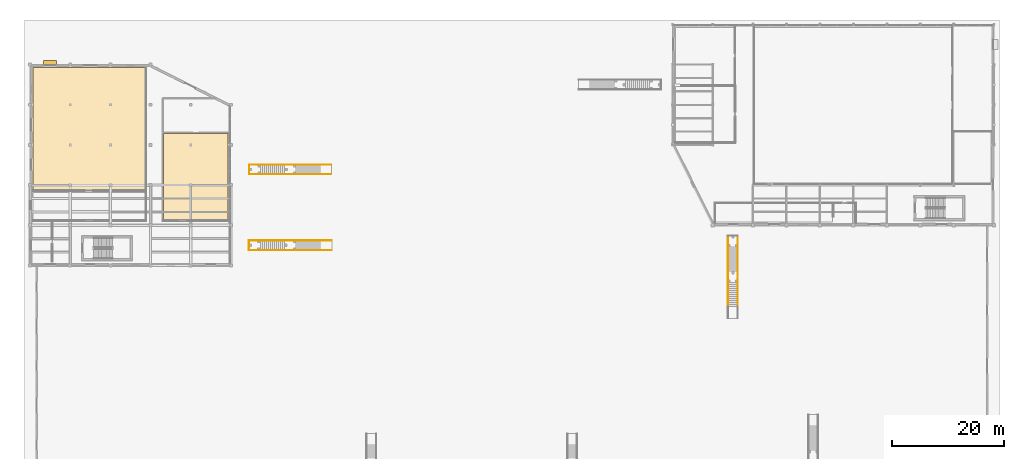
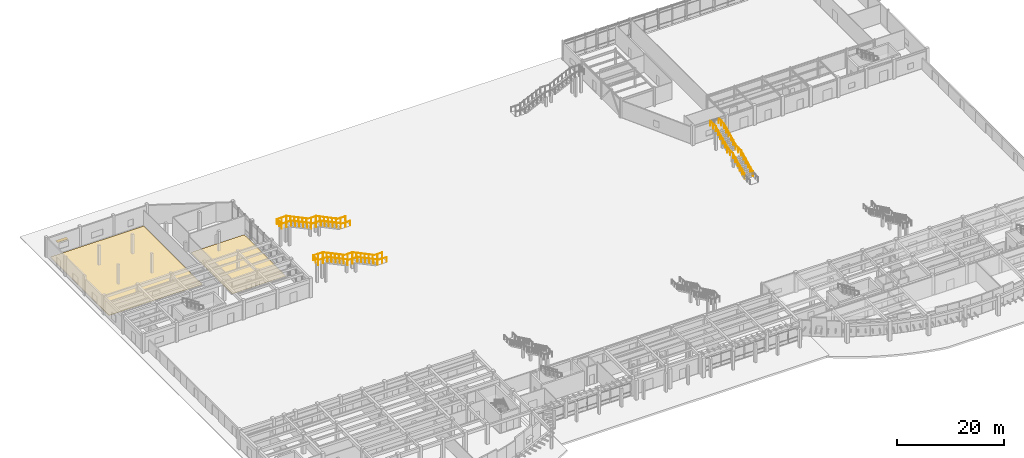
# One storey, part 53 of 58: 30 railings, 2 coverings, 1 shading device.
"""IFC4 building model written with IfcOpenShell, lengths in metres."""

from ifc_helpers import new_model, si_unit, direction, frame, origin, origin_2d, place, context, subcontext, project, spatial, polyline, rectangle, circle, outline, extrude, material, layer, layer_set, type_object, element, save


model = new_model("IFC4")

# Units and contexts
model_context = context("Model", 3, precision=1e-05, world=origin(), true_north=direction((0.0, 1.0)))
body_context = subcontext(model_context, "Body", "Model", "MODEL_VIEW")
ifc_project = project(units=[si_unit("LENGTHUNIT", "METRE"), si_unit("AREAUNIT", "SQUARE_METRE"), si_unit("VOLUMEUNIT", "CUBIC_METRE"), si_unit("PLANEANGLEUNIT", "RADIAN"), si_unit("MASSUNIT", "GRAM", prefix="KILO")], contexts=[model_context])

# Site, building, storey
site_placement = place(None, origin())
site = spatial("IfcSite", under=ifc_project, at=site_placement, CompositionType="ELEMENT")
building_placement = place(site_placement, origin())
building = spatial("IfcBuilding", under=site, at=building_placement, Name="Brisavento Harbour Community Centre", CompositionType="ELEMENT")
storey_placement = place(building_placement, origin())
storey = spatial("IfcBuildingStorey", under=building, at=storey_placement, Name="L00", CompositionType="ELEMENT", Elevation=0.0)

# Coverings
ifc_material_1 = material(Name="Polished marine terrazzo tile", Category="other")
ifc_layer_1 = layer(ifc_material_1, 0.02001953125, Name="Polished marine terrazzo tile")
ifc_layer_set_1 = layer_set([ifc_layer_1], Name="Polished marine terrazzo tile")
covering_type = type_object("IfcCoveringType", Name="COV-FLR-TRZ", PredefinedType="FLOORING", material=ifc_layer_set_1)
covering_1_placement = place(storey_placement, origin())
element("IfcCovering", 1, at=covering_1_placement, inside=storey, type_object=covering_type, Name="L00 Community Dining Hall terrazzo flooring", PredefinedType="FLOORING", context=body_context, shape_type="SweptSolid", body=[
    extrude(outline(polyline([(0.550048828125, 107.449951171875), (0.550048828125, 85.550048828125), (20.64990234375, 85.550048828125), (20.64990234375, 107.449951171875), (0.550048828125, 107.449951171875)])), origin(), (0.0, 0.0, 1.0), 0.02001953125),
])
covering_2_placement = place(storey_placement, origin())
element("IfcCovering", 2, at=covering_2_placement, inside=storey, type_object=covering_type, Name="L00 Teaching Kitchen terrazzo flooring", PredefinedType="FLOORING", context=body_context, shape_type="SweptSolid", body=[
    extrude(outline(polyline([(23.949951171875, 95.64990234375), (23.949951171875, 80.14990234375), (35.449951171875, 80.14990234375), (35.449951171875, 95.64990234375), (23.949951171875, 95.64990234375)])), origin(), (0.0, 0.0, 1.0), 0.02001953125),
])

# Railings
ifc_material_2 = material(Name="Stainless steel 1.4401", Category="steel")
railing_type = type_object("IfcRailingType", Name="RL-ST-GUARD", PredefinedType="GUARDRAIL", material=ifc_material_2)
railing_1_placement = place(storey_placement, frame((126.8798828125, 64.60009765625, 0.173095703125)))
element("IfcRailing", 3, at=railing_1_placement, inside=storey, type_object=railing_type, Name="L00 MST-03 L F1 stair guard", PredefinedType="GUARDRAIL", context=body_context, shape_type="SweptSolid", body=[
    extrude(circle(Radius=0.02392578125, at=origin_2d()), frame((0.0, 0.0, 1.09619140625), z_axis=(0.0, 0.901247069301, 0.433305573558), x_axis=(-1.0, 0.0, 0.0)), (0.0, 0.0, 1.0), 4.793212890625),
    extrude(circle(Radius=0.02099609375, at=origin_2d()), origin(), (0.0, 0.0, 1.0), 1.072021484375),
    extrude(circle(Radius=0.02099609375, at=origin_2d()), frame((0.0, 0.864013671875, 0.415283203125)), (0.0, 0.0, 1.0), 1.072021484375),
    extrude(circle(Radius=0.02099609375, at=origin_2d()), frame((0.0, 1.72802734375, 0.830810546875)), (0.0, 0.0, 1.0), 1.072021484375),
    extrude(circle(Radius=0.02099609375, at=origin_2d()), frame((0.0, 2.591796875, 1.24609375)), (0.0, 0.0, 1.0), 1.072021484375),
    extrude(circle(Radius=0.02099609375, at=origin_2d()), frame((0.0, 3.455810546875, 1.66162109375)), (0.0, 0.0, 1.0), 1.072021484375),
    extrude(circle(Radius=0.02099609375, at=origin_2d()), frame((0.0, 4.31982421875, 2.076904296875)), (0.0, 0.0, 1.0), 1.072021484375),
])
railing_2_placement = place(storey_placement, frame((126.8798828125, 68.8798828125, 2.25)))
element("IfcRailing", 4, at=railing_2_placement, inside=storey, type_object=railing_type, Name="L00 MST-03 L L2 stair guard", PredefinedType="GUARDRAIL", context=body_context, shape_type="SweptSolid", body=[
    extrude(circle(Radius=0.02392578125, at=origin_2d()), frame((0.0, 0.0, 1.09619140625), z_axis=(0.0, 1.0, 0.0), x_axis=(-1.0, 0.0, 0.0)), (0.0, 0.0, 1.0), 2.150146484375),
    extrude(circle(Radius=0.02099609375, at=origin_2d()), origin(), (0.0, 0.0, 1.0), 1.072021484375),
    extrude(circle(Radius=0.02099609375, at=origin_2d()), frame((0.0, 1.0751953125, 0.0)), (0.0, 0.0, 1.0), 1.072021484375),
    extrude(circle(Radius=0.02099609375, at=origin_2d()), frame((0.0, 2.150146484375, 0.0)), (0.0, 0.0, 1.0), 1.072021484375),
])
railing_3_placement = place(storey_placement, frame((126.8798828125, 70.989990234375, 2.423095703125)))
element("IfcRailing", 5, at=railing_3_placement, inside=storey, type_object=railing_type, Name="L00 MST-03 L F2 stair guard", PredefinedType="GUARDRAIL", context=body_context, shape_type="SweptSolid", body=[
    extrude(circle(Radius=0.02392578125, at=origin_2d()), frame((0.0, 0.0, 1.09619140625), z_axis=(0.0, 0.901256631912, 0.433285683395), x_axis=(-1.0, 0.0, 0.0)), (0.0, 0.0, 1.0), 4.79345703125),
    extrude(circle(Radius=0.02099609375, at=origin_2d()), origin(), (0.0, 0.0, 1.0), 1.072021484375),
    extrude(circle(Radius=0.02099609375, at=origin_2d()), frame((0.0, 0.864013671875, 0.415283203125)), (0.0, 0.0, 1.0), 1.072021484375),
    extrude(circle(Radius=0.02099609375, at=origin_2d()), frame((0.0, 1.72802734375, 0.830810546875)), (0.0, 0.0, 1.0), 1.072021484375),
    extrude(circle(Radius=0.02099609375, at=origin_2d()), frame((0.0, 2.592041015625, 1.24609375)), (0.0, 0.0, 1.0), 1.072021484375),
    extrude(circle(Radius=0.02099609375, at=origin_2d()), frame((0.0, 3.4560546875, 1.66162109375)), (0.0, 0.0, 1.0), 1.072021484375),
    extrude(circle(Radius=0.02099609375, at=origin_2d()), frame((0.0, 4.320068359375, 2.076904296875)), (0.0, 0.0, 1.0), 1.072021484375),
])
railing_4_placement = place(storey_placement, frame((126.8798828125, 75.27001953125, 4.5)))
element("IfcRailing", 6, at=railing_4_placement, inside=storey, type_object=railing_type, Name="L00 MST-03 L L3 stair guard", PredefinedType="GUARDRAIL", context=body_context, shape_type="SweptSolid", body=[
    extrude(circle(Radius=0.02392578125, at=origin_2d()), frame((0.0, 0.0, 1.09619140625), z_axis=(0.0, 1.0, 0.0), x_axis=(-1.0, 0.0, 0.0)), (0.0, 0.0, 1.0), 2.070068359375),
    extrude(circle(Radius=0.02099609375, at=origin_2d()), origin(), (0.0, 0.0, 1.0), 1.072021484375),
    extrude(circle(Radius=0.02099609375, at=origin_2d()), frame((0.0, 1.03515625, 0.0)), (0.0, 0.0, 1.0), 1.072021484375),
    extrude(circle(Radius=0.02099609375, at=origin_2d()), frame((0.0, 2.070068359375, 0.0)), (0.0, 0.0, 1.0), 1.072021484375),
])
railing_5_placement = place(storey_placement, frame((125.1201171875, 64.60009765625, 0.173095703125)))
element("IfcRailing", 7, at=railing_5_placement, inside=storey, type_object=railing_type, Name="L00 MST-03 R F1 stair guard", PredefinedType="GUARDRAIL", context=body_context, shape_type="SweptSolid", body=[
    extrude(circle(Radius=0.02392578125, at=origin_2d()), frame((0.0, 0.0, 1.09619140625), z_axis=(0.0, 0.901247069301, 0.433305573558), x_axis=(-1.0, 0.0, 0.0)), (0.0, 0.0, 1.0), 4.793212890625),
    extrude(circle(Radius=0.02099609375, at=origin_2d()), origin(), (0.0, 0.0, 1.0), 1.072021484375),
    extrude(circle(Radius=0.02099609375, at=origin_2d()), frame((0.0, 0.864013671875, 0.415283203125)), (0.0, 0.0, 1.0), 1.072021484375),
    extrude(circle(Radius=0.02099609375, at=origin_2d()), frame((0.0, 1.72802734375, 0.830810546875)), (0.0, 0.0, 1.0), 1.072021484375),
    extrude(circle(Radius=0.02099609375, at=origin_2d()), frame((0.0, 2.591796875, 1.24609375)), (0.0, 0.0, 1.0), 1.072021484375),
    extrude(circle(Radius=0.02099609375, at=origin_2d()), frame((0.0, 3.455810546875, 1.66162109375)), (0.0, 0.0, 1.0), 1.072021484375),
    extrude(circle(Radius=0.02099609375, at=origin_2d()), frame((0.0, 4.31982421875, 2.076904296875)), (0.0, 0.0, 1.0), 1.072021484375),
])
railing_6_placement = place(storey_placement, frame((125.1201171875, 68.8798828125, 2.25)))
element("IfcRailing", 8, at=railing_6_placement, inside=storey, type_object=railing_type, Name="L00 MST-03 R L2 stair guard", PredefinedType="GUARDRAIL", context=body_context, shape_type="SweptSolid", body=[
    extrude(circle(Radius=0.02392578125, at=origin_2d()), frame((0.0, 0.0, 1.09619140625), z_axis=(0.0, 1.0, 0.0), x_axis=(-1.0, 0.0, 0.0)), (0.0, 0.0, 1.0), 2.150146484375),
    extrude(circle(Radius=0.02099609375, at=origin_2d()), origin(), (0.0, 0.0, 1.0), 1.072021484375),
    extrude(circle(Radius=0.02099609375, at=origin_2d()), frame((0.0, 1.0751953125, 0.0)), (0.0, 0.0, 1.0), 1.072021484375),
    extrude(circle(Radius=0.02099609375, at=origin_2d()), frame((0.0, 2.150146484375, 0.0)), (0.0, 0.0, 1.0), 1.072021484375),
])
railing_7_placement = place(storey_placement, frame((125.1201171875, 70.989990234375, 2.423095703125)))
element("IfcRailing", 9, at=railing_7_placement, inside=storey, type_object=railing_type, Name="L00 MST-03 R F2 stair guard", PredefinedType="GUARDRAIL", context=body_context, shape_type="SweptSolid", body=[
    extrude(circle(Radius=0.02392578125, at=origin_2d()), frame((0.0, 0.0, 1.09619140625), z_axis=(0.0, 0.901256631912, 0.433285683395), x_axis=(-1.0, 0.0, 0.0)), (0.0, 0.0, 1.0), 4.79345703125),
    extrude(circle(Radius=0.02099609375, at=origin_2d()), origin(), (0.0, 0.0, 1.0), 1.072021484375),
    extrude(circle(Radius=0.02099609375, at=origin_2d()), frame((0.0, 0.864013671875, 0.415283203125)), (0.0, 0.0, 1.0), 1.072021484375),
    extrude(circle(Radius=0.02099609375, at=origin_2d()), frame((0.0, 1.72802734375, 0.830810546875)), (0.0, 0.0, 1.0), 1.072021484375),
    extrude(circle(Radius=0.02099609375, at=origin_2d()), frame((0.0, 2.592041015625, 1.24609375)), (0.0, 0.0, 1.0), 1.072021484375),
    extrude(circle(Radius=0.02099609375, at=origin_2d()), frame((0.0, 3.4560546875, 1.66162109375)), (0.0, 0.0, 1.0), 1.072021484375),
    extrude(circle(Radius=0.02099609375, at=origin_2d()), frame((0.0, 4.320068359375, 2.076904296875)), (0.0, 0.0, 1.0), 1.072021484375),
])
railing_8_placement = place(storey_placement, frame((125.1201171875, 75.27001953125, 4.5)))
element("IfcRailing", 10, at=railing_8_placement, inside=storey, type_object=railing_type, Name="L00 MST-03 R L3 stair guard", PredefinedType="GUARDRAIL", context=body_context, shape_type="SweptSolid", body=[
    extrude(circle(Radius=0.02392578125, at=origin_2d()), frame((0.0, 0.0, 1.09619140625), z_axis=(0.0, 1.0, 0.0), x_axis=(-1.0, 0.0, 0.0)), (0.0, 0.0, 1.0), 2.070068359375),
    extrude(circle(Radius=0.02099609375, at=origin_2d()), origin(), (0.0, 0.0, 1.0), 1.072021484375),
    extrude(circle(Radius=0.02099609375, at=origin_2d()), frame((0.0, 1.03515625, 0.0)), (0.0, 0.0, 1.0), 1.072021484375),
    extrude(circle(Radius=0.02099609375, at=origin_2d()), frame((0.0, 2.070068359375, 0.0)), (0.0, 0.0, 1.0), 1.072021484375),
])
railing_9_placement = place(storey_placement, frame((54.030029296875, 76.47998046875, 0.0)))
element("IfcRailing", 11, at=railing_9_placement, inside=storey, type_object=railing_type, Name="L00 MST-04 L L1 stair guard", PredefinedType="GUARDRAIL", context=body_context, shape_type="SweptSolid", body=[
    extrude(circle(Radius=0.02392578125, at=origin_2d()), frame((0.0, 0.0, 1.09619140625), z_axis=(-1.0, 0.0, 0.0), x_axis=(0.0, -1.0, 0.0)), (0.0, 0.0, 1.0), 2.030029296875),
    extrude(circle(Radius=0.02099609375, at=origin_2d()), origin(), (0.0, 0.0, 1.0), 1.072021484375),
    extrude(circle(Radius=0.02099609375, at=origin_2d()), frame((-1.01513671875, 0.0, 0.0)), (0.0, 0.0, 1.0), 1.072021484375),
    extrude(circle(Radius=0.02099609375, at=origin_2d()), frame((-2.030029296875, 0.0, 0.0)), (0.0, 0.0, 1.0), 1.072021484375),
])
railing_10_placement = place(storey_placement, frame((52.0, 76.47998046875, 0.173095703125)))
element("IfcRailing", 12, at=railing_10_placement, inside=storey, type_object=railing_type, Name="L00 MST-04 L F1 stair guard", PredefinedType="GUARDRAIL", context=body_context, shape_type="SweptSolid", body=[
    extrude(circle(Radius=0.02392578125, at=origin_2d()), frame((0.0, 0.0, 1.09619140625), z_axis=(-0.901256631912, 0.0, 0.433285683395), x_axis=(0.0, -1.0, 0.0)), (0.0, 0.0, 1.0), 4.79345703125),
    extrude(circle(Radius=0.02099609375, at=origin_2d()), origin(), (0.0, 0.0, 1.0), 1.072021484375),
    extrude(circle(Radius=0.02099609375, at=origin_2d()), frame((-0.864013671875, 0.0, 0.415283203125)), (0.0, 0.0, 1.0), 1.072021484375),
    extrude(circle(Radius=0.02099609375, at=origin_2d()), frame((-1.72802734375, 0.0, 0.830810546875)), (0.0, 0.0, 1.0), 1.072021484375),
    extrude(circle(Radius=0.02099609375, at=origin_2d()), frame((-2.592041015625, 0.0, 1.24609375)), (0.0, 0.0, 1.0), 1.072021484375),
    extrude(circle(Radius=0.02099609375, at=origin_2d()), frame((-3.4560546875, 0.0, 1.66162109375)), (0.0, 0.0, 1.0), 1.072021484375),
    extrude(circle(Radius=0.02099609375, at=origin_2d()), frame((-4.320068359375, 0.0, 2.076904296875)), (0.0, 0.0, 1.0), 1.072021484375),
])
railing_11_placement = place(storey_placement, frame((47.719970703125, 76.47998046875, 2.25)))
element("IfcRailing", 13, at=railing_11_placement, inside=storey, type_object=railing_type, Name="L00 MST-04 L L2 stair guard", PredefinedType="GUARDRAIL", context=body_context, shape_type="SweptSolid", body=[
    extrude(circle(Radius=0.02392578125, at=origin_2d()), frame((0.0, 0.0, 1.09619140625), z_axis=(-1.0, 0.0, 0.0), x_axis=(0.0, -1.0, 0.0)), (0.0, 0.0, 1.0), 2.14990234375),
    extrude(circle(Radius=0.02099609375, at=origin_2d()), origin(), (0.0, 0.0, 1.0), 1.072021484375),
    extrude(circle(Radius=0.02099609375, at=origin_2d()), frame((-1.074951171875, 0.0, 0.0)), (0.0, 0.0, 1.0), 1.072021484375),
    extrude(circle(Radius=0.02099609375, at=origin_2d()), frame((-2.14990234375, 0.0, 0.0)), (0.0, 0.0, 1.0), 1.072021484375),
])
railing_12_placement = place(storey_placement, frame((45.610107421875, 76.47998046875, 2.423095703125)))
element("IfcRailing", 14, at=railing_12_placement, inside=storey, type_object=railing_type, Name="L00 MST-04 L F2 stair guard", PredefinedType="GUARDRAIL", context=body_context, shape_type="SweptSolid", body=[
    extrude(circle(Radius=0.02392578125, at=origin_2d()), frame((0.0, 0.0, 1.09619140625), z_axis=(-0.901256631912, 0.0, 0.433285683395), x_axis=(0.0, -1.0, 0.0)), (0.0, 0.0, 1.0), 4.79345703125),
    extrude(circle(Radius=0.02099609375, at=origin_2d()), origin(), (0.0, 0.0, 1.0), 1.072021484375),
    extrude(circle(Radius=0.02099609375, at=origin_2d()), frame((-0.864013671875, 0.0, 0.415283203125)), (0.0, 0.0, 1.0), 1.072021484375),
    extrude(circle(Radius=0.02099609375, at=origin_2d()), frame((-1.72802734375, 0.0, 0.830810546875)), (0.0, 0.0, 1.0), 1.072021484375),
    extrude(circle(Radius=0.02099609375, at=origin_2d()), frame((-2.592041015625, 0.0, 1.24609375)), (0.0, 0.0, 1.0), 1.072021484375),
    extrude(circle(Radius=0.02099609375, at=origin_2d()), frame((-3.4560546875, 0.0, 1.66162109375)), (0.0, 0.0, 1.0), 1.072021484375),
    extrude(circle(Radius=0.02099609375, at=origin_2d()), frame((-4.320068359375, 0.0, 2.076904296875)), (0.0, 0.0, 1.0), 1.072021484375),
])
railing_13_placement = place(storey_placement, frame((41.330078125, 76.47998046875, 4.5)))
element("IfcRailing", 15, at=railing_13_placement, inside=storey, type_object=railing_type, Name="L00 MST-04 L L3 stair guard", PredefinedType="GUARDRAIL", context=body_context, shape_type="SweptSolid", body=[
    extrude(circle(Radius=0.02392578125, at=origin_2d()), frame((0.0, 0.0, 1.09619140625), z_axis=(-1.0, 0.0, 0.0), x_axis=(0.0, -1.0, 0.0)), (0.0, 0.0, 1.0), 2.070068359375),
    extrude(circle(Radius=0.02099609375, at=origin_2d()), origin(), (0.0, 0.0, 1.0), 1.072021484375),
    extrude(circle(Radius=0.02099609375, at=origin_2d()), frame((-1.03515625, 0.0, 0.0)), (0.0, 0.0, 1.0), 1.072021484375),
    extrude(circle(Radius=0.02099609375, at=origin_2d()), frame((-2.070068359375, 0.0, 0.0)), (0.0, 0.0, 1.0), 1.072021484375),
])
railing_14_placement = place(storey_placement, frame((54.030029296875, 74.719970703125, 0.0)))
element("IfcRailing", 16, at=railing_14_placement, inside=storey, type_object=railing_type, Name="L00 MST-04 R L1 stair guard", PredefinedType="GUARDRAIL", context=body_context, shape_type="SweptSolid", body=[
    extrude(circle(Radius=0.02392578125, at=origin_2d()), frame((0.0, 0.0, 1.09619140625), z_axis=(-1.0, 0.0, 0.0), x_axis=(0.0, -1.0, 0.0)), (0.0, 0.0, 1.0), 2.030029296875),
    extrude(circle(Radius=0.02099609375, at=origin_2d()), origin(), (0.0, 0.0, 1.0), 1.072021484375),
    extrude(circle(Radius=0.02099609375, at=origin_2d()), frame((-1.01513671875, 0.0, 0.0)), (0.0, 0.0, 1.0), 1.072021484375),
    extrude(circle(Radius=0.02099609375, at=origin_2d()), frame((-2.030029296875, 0.0, 0.0)), (0.0, 0.0, 1.0), 1.072021484375),
])
railing_15_placement = place(storey_placement, frame((52.0, 74.719970703125, 0.173095703125)))
element("IfcRailing", 17, at=railing_15_placement, inside=storey, type_object=railing_type, Name="L00 MST-04 R F1 stair guard", PredefinedType="GUARDRAIL", context=body_context, shape_type="SweptSolid", body=[
    extrude(circle(Radius=0.02392578125, at=origin_2d()), frame((0.0, 0.0, 1.09619140625), z_axis=(-0.901256631912, 0.0, 0.433285683395), x_axis=(0.0, -1.0, 0.0)), (0.0, 0.0, 1.0), 4.79345703125),
    extrude(circle(Radius=0.02099609375, at=origin_2d()), origin(), (0.0, 0.0, 1.0), 1.072021484375),
    extrude(circle(Radius=0.02099609375, at=origin_2d()), frame((-0.864013671875, 0.0, 0.415283203125)), (0.0, 0.0, 1.0), 1.072021484375),
    extrude(circle(Radius=0.02099609375, at=origin_2d()), frame((-1.72802734375, 0.0, 0.830810546875)), (0.0, 0.0, 1.0), 1.072021484375),
    extrude(circle(Radius=0.02099609375, at=origin_2d()), frame((-2.592041015625, 0.0, 1.24609375)), (0.0, 0.0, 1.0), 1.072021484375),
    extrude(circle(Radius=0.02099609375, at=origin_2d()), frame((-3.4560546875, 0.0, 1.66162109375)), (0.0, 0.0, 1.0), 1.072021484375),
    extrude(circle(Radius=0.02099609375, at=origin_2d()), frame((-4.320068359375, 0.0, 2.076904296875)), (0.0, 0.0, 1.0), 1.072021484375),
])
railing_16_placement = place(storey_placement, frame((47.719970703125, 74.719970703125, 2.25)))
element("IfcRailing", 18, at=railing_16_placement, inside=storey, type_object=railing_type, Name="L00 MST-04 R L2 stair guard", PredefinedType="GUARDRAIL", context=body_context, shape_type="SweptSolid", body=[
    extrude(circle(Radius=0.02392578125, at=origin_2d()), frame((0.0, 0.0, 1.09619140625), z_axis=(-1.0, 0.0, 0.0), x_axis=(0.0, -1.0, 0.0)), (0.0, 0.0, 1.0), 2.14990234375),
    extrude(circle(Radius=0.02099609375, at=origin_2d()), origin(), (0.0, 0.0, 1.0), 1.072021484375),
    extrude(circle(Radius=0.02099609375, at=origin_2d()), frame((-1.074951171875, 0.0, 0.0)), (0.0, 0.0, 1.0), 1.072021484375),
    extrude(circle(Radius=0.02099609375, at=origin_2d()), frame((-2.14990234375, 0.0, 0.0)), (0.0, 0.0, 1.0), 1.072021484375),
])
railing_17_placement = place(storey_placement, frame((45.610107421875, 74.719970703125, 2.423095703125)))
element("IfcRailing", 19, at=railing_17_placement, inside=storey, type_object=railing_type, Name="L00 MST-04 R F2 stair guard", PredefinedType="GUARDRAIL", context=body_context, shape_type="SweptSolid", body=[
    extrude(circle(Radius=0.02392578125, at=origin_2d()), frame((0.0, 0.0, 1.09619140625), z_axis=(-0.901256631912, 0.0, 0.433285683395), x_axis=(0.0, -1.0, 0.0)), (0.0, 0.0, 1.0), 4.79345703125),
    extrude(circle(Radius=0.02099609375, at=origin_2d()), origin(), (0.0, 0.0, 1.0), 1.072021484375),
    extrude(circle(Radius=0.02099609375, at=origin_2d()), frame((-0.864013671875, 0.0, 0.415283203125)), (0.0, 0.0, 1.0), 1.072021484375),
    extrude(circle(Radius=0.02099609375, at=origin_2d()), frame((-1.72802734375, 0.0, 0.830810546875)), (0.0, 0.0, 1.0), 1.072021484375),
    extrude(circle(Radius=0.02099609375, at=origin_2d()), frame((-2.592041015625, 0.0, 1.24609375)), (0.0, 0.0, 1.0), 1.072021484375),
    extrude(circle(Radius=0.02099609375, at=origin_2d()), frame((-3.4560546875, 0.0, 1.66162109375)), (0.0, 0.0, 1.0), 1.072021484375),
    extrude(circle(Radius=0.02099609375, at=origin_2d()), frame((-4.320068359375, 0.0, 2.076904296875)), (0.0, 0.0, 1.0), 1.072021484375),
])
railing_18_placement = place(storey_placement, frame((41.330078125, 74.719970703125, 4.5)))
element("IfcRailing", 20, at=railing_18_placement, inside=storey, type_object=railing_type, Name="L00 MST-04 R L3 stair guard", PredefinedType="GUARDRAIL", context=body_context, shape_type="SweptSolid", body=[
    extrude(circle(Radius=0.02392578125, at=origin_2d()), frame((0.0, 0.0, 1.09619140625), z_axis=(-1.0, 0.0, 0.0), x_axis=(0.0, -1.0, 0.0)), (0.0, 0.0, 1.0), 2.070068359375),
    extrude(circle(Radius=0.02099609375, at=origin_2d()), origin(), (0.0, 0.0, 1.0), 1.072021484375),
    extrude(circle(Radius=0.02099609375, at=origin_2d()), frame((-1.03515625, 0.0, 0.0)), (0.0, 0.0, 1.0), 1.072021484375),
    extrude(circle(Radius=0.02099609375, at=origin_2d()), frame((-2.070068359375, 0.0, 0.0)), (0.0, 0.0, 1.0), 1.072021484375),
])
railing_19_placement = place(storey_placement, frame((39.260009765625, 76.47998046875, 4.5)))
element("IfcRailing", 21, at=railing_19_placement, inside=storey, type_object=railing_type, Name="L00 MST-04 top landing end guard", PredefinedType="GUARDRAIL", context=body_context, shape_type="SweptSolid", body=[
    extrude(circle(Radius=0.02392578125, at=origin_2d()), frame((0.0, 0.0, 1.09619140625), z_axis=(0.0, -1.0, 0.0), x_axis=(1.0, 0.0, 0.0)), (0.0, 0.0, 1.0), 1.760009765625),
    extrude(circle(Radius=0.02099609375, at=origin_2d()), origin(), (0.0, 0.0, 1.0), 1.072021484375),
    extrude(circle(Radius=0.02099609375, at=origin_2d()), frame((0.0, -0.8798828125, 0.0)), (0.0, 0.0, 1.0), 1.072021484375),
    extrude(circle(Radius=0.02099609375, at=origin_2d()), frame((0.0, -1.760009765625, 0.0)), (0.0, 0.0, 1.0), 1.072021484375),
])
railing_20_placement = place(storey_placement, frame((54.010009765625, 90.070068359375, 0.0)))
element("IfcRailing", 22, at=railing_20_placement, inside=storey, type_object=railing_type, Name="L00 MST-07 L L1 stair guard", PredefinedType="GUARDRAIL", context=body_context, shape_type="SweptSolid", body=[
    extrude(circle(Radius=0.02392578125, at=origin_2d()), frame((0.0, 0.0, 1.09619140625), z_axis=(-1.0, 0.0, 0.0), x_axis=(0.0, -1.0, 0.0)), (0.0, 0.0, 1.0), 2.010009765625),
    extrude(circle(Radius=0.02099609375, at=origin_2d()), origin(), (0.0, 0.0, 1.0), 1.072021484375),
    extrude(circle(Radius=0.02099609375, at=origin_2d()), frame((-1.0048828125, 0.0, 0.0)), (0.0, 0.0, 1.0), 1.072021484375),
    extrude(circle(Radius=0.02099609375, at=origin_2d()), frame((-2.010009765625, 0.0, 0.0)), (0.0, 0.0, 1.0), 1.072021484375),
])
railing_21_placement = place(storey_placement, frame((52.0, 90.070068359375, 0.173095703125)))
element("IfcRailing", 23, at=railing_21_placement, inside=storey, type_object=railing_type, Name="L00 MST-07 L F1 stair guard", PredefinedType="GUARDRAIL", context=body_context, shape_type="SweptSolid", body=[
    extrude(circle(Radius=0.02392578125, at=origin_2d()), frame((0.0, 0.0, 1.09619140625), z_axis=(-0.901256631912, 0.0, 0.433285683395), x_axis=(0.0, -1.0, 0.0)), (0.0, 0.0, 1.0), 4.79345703125),
    extrude(circle(Radius=0.02099609375, at=origin_2d()), origin(), (0.0, 0.0, 1.0), 1.072021484375),
    extrude(circle(Radius=0.02099609375, at=origin_2d()), frame((-0.864013671875, 0.0, 0.415283203125)), (0.0, 0.0, 1.0), 1.072021484375),
    extrude(circle(Radius=0.02099609375, at=origin_2d()), frame((-1.72802734375, 0.0, 0.830810546875)), (0.0, 0.0, 1.0), 1.072021484375),
    extrude(circle(Radius=0.02099609375, at=origin_2d()), frame((-2.592041015625, 0.0, 1.24609375)), (0.0, 0.0, 1.0), 1.072021484375),
    extrude(circle(Radius=0.02099609375, at=origin_2d()), frame((-3.4560546875, 0.0, 1.66162109375)), (0.0, 0.0, 1.0), 1.072021484375),
    extrude(circle(Radius=0.02099609375, at=origin_2d()), frame((-4.320068359375, 0.0, 2.076904296875)), (0.0, 0.0, 1.0), 1.072021484375),
])
railing_22_placement = place(storey_placement, frame((47.719970703125, 90.070068359375, 2.25)))
element("IfcRailing", 24, at=railing_22_placement, inside=storey, type_object=railing_type, Name="L00 MST-07 L L2 stair guard", PredefinedType="GUARDRAIL", context=body_context, shape_type="SweptSolid", body=[
    extrude(circle(Radius=0.02392578125, at=origin_2d()), frame((0.0, 0.0, 1.09619140625), z_axis=(-1.0, 0.0, 0.0), x_axis=(0.0, -1.0, 0.0)), (0.0, 0.0, 1.0), 2.1298828125),
    extrude(circle(Radius=0.02099609375, at=origin_2d()), origin(), (0.0, 0.0, 1.0), 1.072021484375),
    extrude(circle(Radius=0.02099609375, at=origin_2d()), frame((-1.06494140625, 0.0, 0.0)), (0.0, 0.0, 1.0), 1.072021484375),
    extrude(circle(Radius=0.02099609375, at=origin_2d()), frame((-2.1298828125, 0.0, 0.0)), (0.0, 0.0, 1.0), 1.072021484375),
])
railing_23_placement = place(storey_placement, frame((45.6298828125, 90.070068359375, 2.423095703125)))
element("IfcRailing", 25, at=railing_23_placement, inside=storey, type_object=railing_type, Name="L00 MST-07 L F2 stair guard", PredefinedType="GUARDRAIL", context=body_context, shape_type="SweptSolid", body=[
    extrude(circle(Radius=0.02392578125, at=origin_2d()), frame((0.0, 0.0, 1.09619140625), z_axis=(-0.901247069301, 0.0, 0.433305573558), x_axis=(0.0, -1.0, 0.0)), (0.0, 0.0, 1.0), 4.793212890625),
    extrude(circle(Radius=0.02099609375, at=origin_2d()), origin(), (0.0, 0.0, 1.0), 1.072021484375),
    extrude(circle(Radius=0.02099609375, at=origin_2d()), frame((-0.864013671875, 0.0, 0.415283203125)), (0.0, 0.0, 1.0), 1.072021484375),
    extrude(circle(Radius=0.02099609375, at=origin_2d()), frame((-1.72802734375, 0.0, 0.830810546875)), (0.0, 0.0, 1.0), 1.072021484375),
    extrude(circle(Radius=0.02099609375, at=origin_2d()), frame((-2.591796875, 0.0, 1.24609375)), (0.0, 0.0, 1.0), 1.072021484375),
    extrude(circle(Radius=0.02099609375, at=origin_2d()), frame((-3.455810546875, 0.0, 1.66162109375)), (0.0, 0.0, 1.0), 1.072021484375),
    extrude(circle(Radius=0.02099609375, at=origin_2d()), frame((-4.31982421875, 0.0, 2.076904296875)), (0.0, 0.0, 1.0), 1.072021484375),
])
railing_24_placement = place(storey_placement, frame((41.35009765625, 90.070068359375, 4.5)))
element("IfcRailing", 26, at=railing_24_placement, inside=storey, type_object=railing_type, Name="L00 MST-07 L L3 stair guard", PredefinedType="GUARDRAIL", context=body_context, shape_type="SweptSolid", body=[
    extrude(circle(Radius=0.02392578125, at=origin_2d()), frame((0.0, 0.0, 1.09619140625), z_axis=(-1.0, 0.0, 0.0), x_axis=(0.0, -1.0, 0.0)), (0.0, 0.0, 1.0), 2.050048828125),
    extrude(circle(Radius=0.02099609375, at=origin_2d()), origin(), (0.0, 0.0, 1.0), 1.072021484375),
    extrude(circle(Radius=0.02099609375, at=origin_2d()), frame((-1.02490234375, 0.0, 0.0)), (0.0, 0.0, 1.0), 1.072021484375),
    extrude(circle(Radius=0.02099609375, at=origin_2d()), frame((-2.050048828125, 0.0, 0.0)), (0.0, 0.0, 1.0), 1.072021484375),
])
railing_25_placement = place(storey_placement, frame((54.010009765625, 88.330078125, 0.0)))
element("IfcRailing", 27, at=railing_25_placement, inside=storey, type_object=railing_type, Name="L00 MST-07 R L1 stair guard", PredefinedType="GUARDRAIL", context=body_context, shape_type="SweptSolid", body=[
    extrude(circle(Radius=0.02392578125, at=origin_2d()), frame((0.0, 0.0, 1.09619140625), z_axis=(-1.0, 0.0, 0.0), x_axis=(0.0, -1.0, 0.0)), (0.0, 0.0, 1.0), 2.010009765625),
    extrude(circle(Radius=0.02099609375, at=origin_2d()), origin(), (0.0, 0.0, 1.0), 1.072021484375),
    extrude(circle(Radius=0.02099609375, at=origin_2d()), frame((-1.0048828125, 0.0, 0.0)), (0.0, 0.0, 1.0), 1.072021484375),
    extrude(circle(Radius=0.02099609375, at=origin_2d()), frame((-2.010009765625, 0.0, 0.0)), (0.0, 0.0, 1.0), 1.072021484375),
])
railing_26_placement = place(storey_placement, frame((52.0, 88.330078125, 0.173095703125)))
element("IfcRailing", 28, at=railing_26_placement, inside=storey, type_object=railing_type, Name="L00 MST-07 R F1 stair guard", PredefinedType="GUARDRAIL", context=body_context, shape_type="SweptSolid", body=[
    extrude(circle(Radius=0.02392578125, at=origin_2d()), frame((0.0, 0.0, 1.09619140625), z_axis=(-0.901256631912, 0.0, 0.433285683395), x_axis=(0.0, -1.0, 0.0)), (0.0, 0.0, 1.0), 4.79345703125),
    extrude(circle(Radius=0.02099609375, at=origin_2d()), origin(), (0.0, 0.0, 1.0), 1.072021484375),
    extrude(circle(Radius=0.02099609375, at=origin_2d()), frame((-0.864013671875, 0.0, 0.415283203125)), (0.0, 0.0, 1.0), 1.072021484375),
    extrude(circle(Radius=0.02099609375, at=origin_2d()), frame((-1.72802734375, 0.0, 0.830810546875)), (0.0, 0.0, 1.0), 1.072021484375),
    extrude(circle(Radius=0.02099609375, at=origin_2d()), frame((-2.592041015625, 0.0, 1.24609375)), (0.0, 0.0, 1.0), 1.072021484375),
    extrude(circle(Radius=0.02099609375, at=origin_2d()), frame((-3.4560546875, 0.0, 1.66162109375)), (0.0, 0.0, 1.0), 1.072021484375),
    extrude(circle(Radius=0.02099609375, at=origin_2d()), frame((-4.320068359375, 0.0, 2.076904296875)), (0.0, 0.0, 1.0), 1.072021484375),
])
railing_27_placement = place(storey_placement, frame((47.719970703125, 88.330078125, 2.25)))
element("IfcRailing", 29, at=railing_27_placement, inside=storey, type_object=railing_type, Name="L00 MST-07 R L2 stair guard", PredefinedType="GUARDRAIL", context=body_context, shape_type="SweptSolid", body=[
    extrude(circle(Radius=0.02392578125, at=origin_2d()), frame((0.0, 0.0, 1.09619140625), z_axis=(-1.0, 0.0, 0.0), x_axis=(0.0, -1.0, 0.0)), (0.0, 0.0, 1.0), 2.1298828125),
    extrude(circle(Radius=0.02099609375, at=origin_2d()), origin(), (0.0, 0.0, 1.0), 1.072021484375),
    extrude(circle(Radius=0.02099609375, at=origin_2d()), frame((-1.06494140625, 0.0, 0.0)), (0.0, 0.0, 1.0), 1.072021484375),
    extrude(circle(Radius=0.02099609375, at=origin_2d()), frame((-2.1298828125, 0.0, 0.0)), (0.0, 0.0, 1.0), 1.072021484375),
])
railing_28_placement = place(storey_placement, frame((45.6298828125, 88.330078125, 2.423095703125)))
element("IfcRailing", 30, at=railing_28_placement, inside=storey, type_object=railing_type, Name="L00 MST-07 R F2 stair guard", PredefinedType="GUARDRAIL", context=body_context, shape_type="SweptSolid", body=[
    extrude(circle(Radius=0.02392578125, at=origin_2d()), frame((0.0, 0.0, 1.09619140625), z_axis=(-0.901247069301, 0.0, 0.433305573558), x_axis=(0.0, -1.0, 0.0)), (0.0, 0.0, 1.0), 4.793212890625),
    extrude(circle(Radius=0.02099609375, at=origin_2d()), origin(), (0.0, 0.0, 1.0), 1.072021484375),
    extrude(circle(Radius=0.02099609375, at=origin_2d()), frame((-0.864013671875, 0.0, 0.415283203125)), (0.0, 0.0, 1.0), 1.072021484375),
    extrude(circle(Radius=0.02099609375, at=origin_2d()), frame((-1.72802734375, 0.0, 0.830810546875)), (0.0, 0.0, 1.0), 1.072021484375),
    extrude(circle(Radius=0.02099609375, at=origin_2d()), frame((-2.591796875, 0.0, 1.24609375)), (0.0, 0.0, 1.0), 1.072021484375),
    extrude(circle(Radius=0.02099609375, at=origin_2d()), frame((-3.455810546875, 0.0, 1.66162109375)), (0.0, 0.0, 1.0), 1.072021484375),
    extrude(circle(Radius=0.02099609375, at=origin_2d()), frame((-4.31982421875, 0.0, 2.076904296875)), (0.0, 0.0, 1.0), 1.072021484375),
])
railing_29_placement = place(storey_placement, frame((41.35009765625, 88.330078125, 4.5)))
element("IfcRailing", 31, at=railing_29_placement, inside=storey, type_object=railing_type, Name="L00 MST-07 R L3 stair guard", PredefinedType="GUARDRAIL", context=body_context, shape_type="SweptSolid", body=[
    extrude(circle(Radius=0.02392578125, at=origin_2d()), frame((0.0, 0.0, 1.09619140625), z_axis=(-1.0, 0.0, 0.0), x_axis=(0.0, -1.0, 0.0)), (0.0, 0.0, 1.0), 2.050048828125),
    extrude(circle(Radius=0.02099609375, at=origin_2d()), origin(), (0.0, 0.0, 1.0), 1.072021484375),
    extrude(circle(Radius=0.02099609375, at=origin_2d()), frame((-1.02490234375, 0.0, 0.0)), (0.0, 0.0, 1.0), 1.072021484375),
    extrude(circle(Radius=0.02099609375, at=origin_2d()), frame((-2.050048828125, 0.0, 0.0)), (0.0, 0.0, 1.0), 1.072021484375),
])
railing_30_placement = place(storey_placement, frame((39.300048828125, 90.070068359375, 4.5)))
element("IfcRailing", 32, at=railing_30_placement, inside=storey, type_object=railing_type, Name="L00 MST-07 top landing end guard", PredefinedType="GUARDRAIL", context=body_context, shape_type="SweptSolid", body=[
    extrude(circle(Radius=0.02392578125, at=origin_2d()), frame((0.0, 0.0, 1.09619140625), z_axis=(0.0, -1.0, 0.0), x_axis=(1.0, 0.0, 0.0)), (0.0, 0.0, 1.0), 1.739990234375),
    extrude(circle(Radius=0.02099609375, at=origin_2d()), origin(), (0.0, 0.0, 1.0), 1.072021484375),
    extrude(circle(Radius=0.02099609375, at=origin_2d()), frame((0.0, -0.8701171875, 0.0)), (0.0, 0.0, 1.0), 1.072021484375),
    extrude(circle(Radius=0.02099609375, at=origin_2d()), frame((0.0, -1.739990234375, 0.0)), (0.0, 0.0, 1.0), 1.072021484375),
])

# Shading device
ifc_material_3 = material(Name="Off-white precast concrete C40/50", Category="concrete")
ifc_layer_2 = layer(ifc_material_3, 0.080078125, Name="Off-white precast concrete C40/50")
ifc_layer_set_2 = layer_set([ifc_layer_2], Name="Off-white precast concrete C40/50")
shading_device_type = type_object("IfcShadingDeviceType", Name="SHD-BLADE", PredefinedType="USERDEFINED", material=ifc_layer_set_2)
shading_device_placement = place(storey_placement, frame((3.60009765625, 108.340087890625, 2.260009765625), z_axis=(0.0, 0.0, 1.0), x_axis=(1.0, 0.0, 0.0)))
element("IfcShadingDevice", 33, at=shading_device_placement, inside=storey, type_object=shading_device_type, Name="L00 precast storm sunshade blade 09", ObjectType="SUNSHADE BLADE", PredefinedType="USERDEFINED", context=body_context, shape_type="SweptSolid", body=[
    extrude(rectangle(XDim=2.300048828125, YDim=0.75, at=origin_2d()), origin(), (0.0, 0.0, 1.0), 0.080078125),
])

save(model, "model.ifc")
